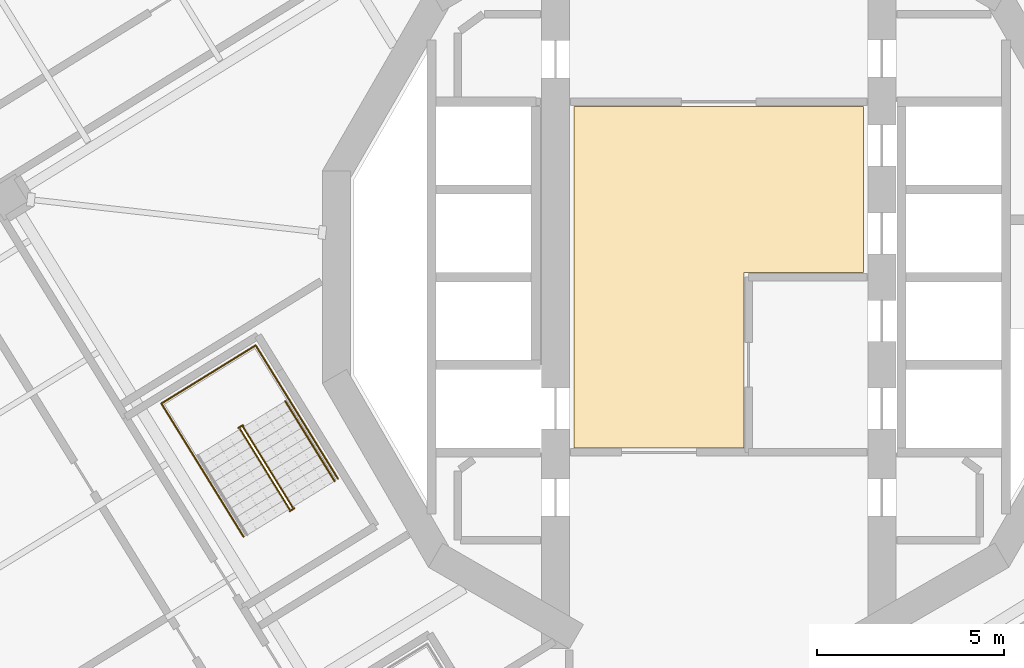
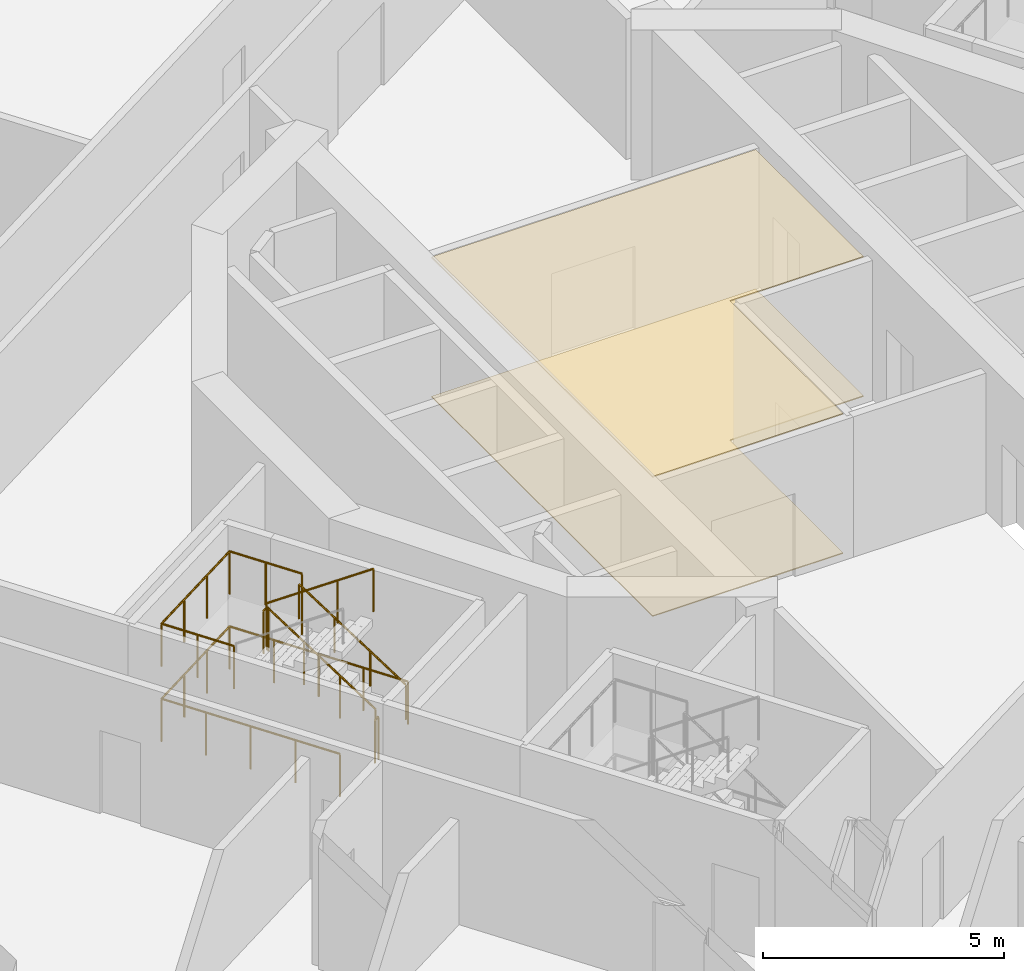
# One storey, part 14 of 20: 6 railings, 2 coverings.
"""IFC4 building model written with IfcOpenShell, lengths in metres."""

from ifc_helpers import new_model, si_unit, direction, frame, origin, origin_2d, place, context, subcontext, project, spatial, polyline, circle, outline, extrude, material, layer, layer_set, type_object, element, save


model = new_model("IFC4")

# Units and contexts
model_context = context("Model", 3, precision=1e-05, world=origin(), true_north=direction((0.0, 1.0)))
body_context = subcontext(model_context, "Body", "Model", "MODEL_VIEW")
ifc_project = project(units=[si_unit("LENGTHUNIT", "METRE"), si_unit("AREAUNIT", "SQUARE_METRE"), si_unit("VOLUMEUNIT", "CUBIC_METRE"), si_unit("PLANEANGLEUNIT", "RADIAN"), si_unit("MASSUNIT", "GRAM", prefix="KILO")], contexts=[model_context])

# Site, building, storey
site_placement = place(None, origin())
site = spatial("IfcSite", under=ifc_project, at=site_placement, CompositionType="ELEMENT")
building_placement = place(site_placement, origin())
building = spatial("IfcBuilding", under=site, at=building_placement, Name="Cantera Rosa Tower", CompositionType="ELEMENT")
storey_placement = place(building_placement, frame((0.0, 0.0, 181.800048828125)))
storey = spatial("IfcBuildingStorey", under=building, at=storey_placement, Name="L40", CompositionType="ELEMENT", Elevation=181.800048828125)

# Railings
ifc_material_1 = material(Name="Steel S355J2 (EN 10025-2)", Category="steel")
railing_type_1 = type_object("IfcRailingType", Name="STAIR GUARD 1100", PredefinedType="GUARDRAIL", material=ifc_material_1)
railing_1_placement = place(storey_placement, frame((-11.42333984375, -6.165771484375, 0.18994140625)))
element("IfcRailing", 1, at=railing_1_placement, inside=storey, type_object=railing_type_1, Name="L40 ST-32 stair guard 1", PredefinedType="GUARDRAIL", context=body_context, shape_type="SweptSolid", body=[
    extrude(circle(Radius=0.02392578125, at=origin_2d()), frame((0.0, 0.0, 1.076171875), z_axis=(-0.434427613125, 0.704271375033, 0.561493080334), x_axis=(-0.851102330005, -0.524999832248, 0.0)), (0.0, 0.0, 1.0), 3.04541015625),
    extrude(circle(Radius=0.02392578125, at=origin_2d()), frame((-1.322998046875, 2.144775390625, 2.7861328125), z_axis=(-0.073711968402, 0.997279572494, 0.0), x_axis=(-0.997279572494, -0.073711968402, 0.0)), (0.0, 0.0, 1.0), 0.056396484375),
    extrude(circle(Radius=0.02392578125, at=origin_2d()), frame((-1.3271484375, 2.200927734375, 2.7861328125), z_axis=(-0.851546489876, -0.524279100842, 0.0), x_axis=(0.524279100842, -0.851546489876, 0.0)), (0.0, 0.0, 1.0), 0.14990234375),
    extrude(circle(Radius=0.02099609375, at=origin_2d()), origin(), (0.0, 0.0, 1.0), 1.052001953125),
    extrude(circle(Radius=0.02099609375, at=origin_2d()), frame((-0.44091796875, 0.71484375, 0.570068359375)), (0.0, 0.0, 1.0), 1.052001953125),
    extrude(circle(Radius=0.02099609375, at=origin_2d()), frame((-0.882080078125, 1.429931640625, 1.139892578125)), (0.0, 0.0, 1.0), 1.052001953125),
    extrude(circle(Radius=0.02099609375, at=origin_2d()), frame((-1.322998046875, 2.144775390625, 1.7099609375)), (0.0, 0.0, 1.0), 1.052001953125),
    extrude(circle(Radius=0.02099609375, at=origin_2d()), frame((-1.3271484375, 2.200927734375, 1.7099609375)), (0.0, 0.0, 1.0), 1.052001953125),
    extrude(circle(Radius=0.02099609375, at=origin_2d()), frame((-1.454833984375, 2.122314453125, 1.7099609375)), (0.0, 0.0, 1.0), 1.052001953125),
])
railing_2_placement = place(storey_placement, frame((-12.82958984375, -4.072509765625, 2.08984375)))
element("IfcRailing", 2, at=railing_2_placement, inside=storey, type_object=railing_type_1, Name="L40 ST-32 stair guard 2", PredefinedType="GUARDRAIL", context=body_context, shape_type="SweptSolid", body=[
    extrude(circle(Radius=0.02392578125, at=origin_2d()), frame((0.0, 0.0, 1.076171875), z_axis=(0.434343018426, -0.704264196543, 0.561567523823), x_axis=(0.851145618652, 0.524929648476, 0.0)), (0.0, 0.0, 1.0), 3.04541015625),
    extrude(circle(Radius=0.02099609375, at=origin_2d()), origin(), (0.0, 0.0, 1.0), 1.052001953125),
    extrude(circle(Radius=0.02099609375, at=origin_2d()), frame((0.44091796875, -0.71484375, 0.570068359375)), (0.0, 0.0, 1.0), 1.052001953125),
    extrude(circle(Radius=0.02099609375, at=origin_2d()), frame((0.8818359375, -1.429931640625, 1.14013671875)), (0.0, 0.0, 1.0), 1.052001953125),
    extrude(circle(Radius=0.02099609375, at=origin_2d()), frame((1.32275390625, -2.144775390625, 1.710205078125)), (0.0, 0.0, 1.0), 1.052001953125),
])
railing_3_placement = place(storey_placement, frame((-11.375, -6.19482421875, 0.0)))
element("IfcRailing", 3, at=railing_3_placement, inside=storey, type_object=railing_type_1, Name="L40 ST-32 stair guard 3", PredefinedType="GUARDRAIL", context=body_context, shape_type="SweptSolid", body=[
    extrude(circle(Radius=0.02392578125, at=origin_2d()), frame((0.0, 0.0, 1.076171875), z_axis=(-0.851546489876, -0.524279100842, 0.0), x_axis=(0.524279100842, -0.851546489876, 0.0)), (0.0, 0.0, 1.0), 0.14990234375),
    extrude(circle(Radius=0.02099609375, at=origin_2d()), origin(), (0.0, 0.0, 1.0), 1.052001953125),
    extrude(circle(Radius=0.02099609375, at=origin_2d()), frame((-0.127685546875, -0.07861328125, 0.0)), (0.0, 0.0, 1.0), 1.052001953125),
])
railing_4_placement = place(storey_placement, frame((-10.20751953125, -5.40185546875, 0.0)))
element("IfcRailing", 4, at=railing_4_placement, inside=storey, type_object=railing_type_1, Name="L40 ST-32 stair guard 4", PredefinedType="GUARDRAIL", context=body_context, shape_type="SweptSolid", body=[
    extrude(circle(Radius=0.02392578125, at=origin_2d()), frame((0.0, 0.0, 1.076171875), z_axis=(-0.524976478809, 0.851116735059, 0.0), x_axis=(-0.851116735059, -0.524976478809, 0.0)), (0.0, 0.0, 1.0), 4.197998046875),
    extrude(circle(Radius=0.02392578125, at=origin_2d()), frame((-2.203857421875, 3.572998046875, 1.076171875), z_axis=(-0.851132917336, -0.524950242429, 0.0), x_axis=(0.524950242429, -0.851132917336, 0.0)), (0.0, 0.0, 1.0), 2.969970703125),
    extrude(circle(Radius=0.02392578125, at=origin_2d()), frame((-4.731689453125, 2.013916015625, 1.076171875), z_axis=(0.524976478809, -0.851116735059, 0.0), x_axis=(0.851116735059, 0.524976478809, 0.0)), (0.0, 0.0, 1.0), 4.197998046875),
    extrude(circle(Radius=0.02099609375, at=origin_2d()), origin(), (0.0, 0.0, 1.0), 1.052001953125),
    extrude(circle(Radius=0.02099609375, at=origin_2d()), frame((-0.551025390625, 0.893310546875, 0.0)), (0.0, 0.0, 1.0), 1.052001953125),
    extrude(circle(Radius=0.02099609375, at=origin_2d()), frame((-1.10205078125, 1.78662109375, 0.0)), (0.0, 0.0, 1.0), 1.052001953125),
    extrude(circle(Radius=0.02099609375, at=origin_2d()), frame((-1.65283203125, 2.6796875, 0.0)), (0.0, 0.0, 1.0), 1.052001953125),
    extrude(circle(Radius=0.02099609375, at=origin_2d()), frame((-2.203857421875, 3.572998046875, 0.0)), (0.0, 0.0, 1.0), 1.052001953125),
    extrude(circle(Radius=0.02099609375, at=origin_2d()), frame((-3.04638671875, 3.05322265625, 0.0)), (0.0, 0.0, 1.0), 1.052001953125),
    extrude(circle(Radius=0.02099609375, at=origin_2d()), frame((-3.88916015625, 2.53369140625, 0.0)), (0.0, 0.0, 1.0), 1.052001953125),
    extrude(circle(Radius=0.02099609375, at=origin_2d()), frame((-4.731689453125, 2.013916015625, 0.0)), (0.0, 0.0, 1.0), 1.052001953125),
    extrude(circle(Radius=0.02099609375, at=origin_2d()), frame((-4.1806640625, 1.12060546875, 0.0)), (0.0, 0.0, 1.0), 1.052001953125),
    extrude(circle(Radius=0.02099609375, at=origin_2d()), frame((-3.6298828125, 0.2275390625, 0.0)), (0.0, 0.0, 1.0), 1.052001953125),
    extrude(circle(Radius=0.02099609375, at=origin_2d()), frame((-3.078857421875, -0.665771484375, 0.0)), (0.0, 0.0, 1.0), 1.052001953125),
    extrude(circle(Radius=0.02099609375, at=origin_2d()), frame((-2.52783203125, -1.55908203125, 0.0)), (0.0, 0.0, 1.0), 1.052001953125),
])
railing_5_placement = place(storey_placement, frame((-11.517822265625, -3.27734375, 1.89990234375)))
element("IfcRailing", 5, at=railing_5_placement, inside=storey, type_object=railing_type_1, Name="L40 ST-32 stair guard 5", PredefinedType="GUARDRAIL", context=body_context, shape_type="SweptSolid", body=[
    extrude(circle(Radius=0.02392578125, at=origin_2d()), frame((0.0, 0.0, 1.076171875), z_axis=(-0.525025534833, 0.851086474909, 0.0), x_axis=(-0.851086474909, -0.525025534833, 0.0)), (0.0, 0.0, 1.0), 1.701904296875),
    extrude(circle(Radius=0.02392578125, at=origin_2d()), frame((-0.8935546875, 1.448486328125, 1.076171875), z_axis=(-0.851132917336, -0.524950242429, 0.0), x_axis=(0.524950242429, -0.851132917336, 0.0)), (0.0, 0.0, 1.0), 2.969970703125),
    extrude(circle(Radius=0.02392578125, at=origin_2d()), frame((-3.42138671875, -0.110595703125, 1.076171875), z_axis=(0.524961441845, -0.851126009811, 0.0), x_axis=(0.851126009811, 0.524961441845, 0.0)), (0.0, 0.0, 1.0), 1.7021484375),
    extrude(circle(Radius=0.02099609375, at=origin_2d()), origin(), (0.0, 0.0, 1.0), 1.052001953125),
    extrude(circle(Radius=0.02099609375, at=origin_2d()), frame((-0.44677734375, 0.72412109375, 0.0)), (0.0, 0.0, 1.0), 1.052001953125),
    extrude(circle(Radius=0.02099609375, at=origin_2d()), frame((-0.8935546875, 1.448486328125, 0.0)), (0.0, 0.0, 1.0), 1.052001953125),
    extrude(circle(Radius=0.02099609375, at=origin_2d()), frame((-1.736083984375, 0.9287109375, 0.0)), (0.0, 0.0, 1.0), 1.052001953125),
    extrude(circle(Radius=0.02099609375, at=origin_2d()), frame((-2.578857421875, 0.4091796875, 0.0)), (0.0, 0.0, 1.0), 1.052001953125),
    extrude(circle(Radius=0.02099609375, at=origin_2d()), frame((-3.42138671875, -0.110595703125, 0.0)), (0.0, 0.0, 1.0), 1.052001953125),
    extrude(circle(Radius=0.02099609375, at=origin_2d()), frame((-2.974609375, -0.8349609375, 0.0)), (0.0, 0.0, 1.0), 1.052001953125),
    extrude(circle(Radius=0.02099609375, at=origin_2d()), frame((-2.52783203125, -1.559326171875, 0.0)), (0.0, 0.0, 1.0), 1.052001953125),
])
ifc_material_2 = material(Name="Steel S355J2 (EN 10025-2)", Category="steel")
railing_type_2 = type_object("IfcRailingType", Name="STAIR HANDRAIL 900", PredefinedType="HANDRAIL", material=ifc_material_2)
railing_6_placement = place(storey_placement, frame((-10.294677734375, -5.4697265625, 0.18994140625)))
element("IfcRailing", 6, at=railing_6_placement, inside=storey, type_object=railing_type_2, Name="L40 ST-32 stair handrail 1", PredefinedType="HANDRAIL", context=body_context, shape_type="SweptSolid", body=[
    extrude(circle(Radius=0.02392578125, at=origin_2d()), frame((0.0, 0.0, 0.8759765625), z_axis=(-0.434427613125, 0.704271375033, 0.561493080334), x_axis=(-0.851102330005, -0.524999832248, 0.0)), (0.0, 0.0, 1.0), 3.04541015625),
    extrude(circle(Radius=0.02099609375, at=origin_2d()), origin(), (0.0, 0.0, 1.0), 0.851806640625),
    extrude(circle(Radius=0.02099609375, at=origin_2d()), frame((-0.44091796875, 0.71484375, 0.570068359375)), (0.0, 0.0, 1.0), 0.851806640625),
    extrude(circle(Radius=0.02099609375, at=origin_2d()), frame((-0.882080078125, 1.429931640625, 1.139892578125)), (0.0, 0.0, 1.0), 0.851806640625),
    extrude(circle(Radius=0.02099609375, at=origin_2d()), frame((-1.322998046875, 2.144775390625, 1.7099609375)), (0.0, 0.0, 1.0), 0.851806640625),
])

# Coverings
ifc_material_3 = material(Name="Limestone paving", Category="masonry")
ifc_layer_1 = layer(ifc_material_3, 0.02490234375)
ifc_layer_set_1 = layer_set([ifc_layer_1], Name="STONE FLOOR FINISH 25")
covering_type_1 = type_object("IfcCoveringType", Name="STONE FLOOR FINISH 25", PredefinedType="FLOORING", material=ifc_layer_set_1)
covering_1_placement = place(storey_placement, origin())
element("IfcCovering", 7, at=covering_1_placement, inside=storey, type_object=covering_type_1, Name="STONE FLOOR FINISH L40", PredefinedType="FLOORING", context=body_context, shape_type="SweptSolid", body=[
    extrude(outline(polyline([(3.8798828125, 4.580078125), (3.8798828125, 0.1201171875), (0.679931640625, 0.1201171875), (0.679931640625, -4.580078125), (-3.8798828125, -4.580078125), (-3.8798828125, 4.580078125), (3.8798828125, 4.580078125)])), origin(), (0.0, 0.0, 1.0), 0.02490234375),
])
ifc_material_4 = material(Name="Gypsum ceiling tile")
ifc_layer_2 = layer(ifc_material_4, 0.030029296875)
ifc_layer_set_2 = layer_set([ifc_layer_2], Name="SUSPENDED CEILING 30")
covering_type_2 = type_object("IfcCoveringType", Name="SUSPENDED CEILING 30", PredefinedType="CEILING", material=ifc_layer_set_2)
covering_2_placement = place(storey_placement, frame((0.0, 0.0, 3.52001953125)))
element("IfcCovering", 8, at=covering_2_placement, inside=storey, type_object=covering_type_2, Name="SUSPENDED CEILING L40", PredefinedType="CEILING", context=body_context, shape_type="SweptSolid", body=[
    extrude(outline(polyline([(3.8798828125, 4.580078125), (3.8798828125, 0.1201171875), (0.679931640625, 0.1201171875), (0.679931640625, -4.580078125), (-3.8798828125, -4.580078125), (-3.8798828125, 4.580078125), (3.8798828125, 4.580078125)])), origin(), (0.0, 0.0, 1.0), 0.030029296875),
])

save(model, "model.ifc")
